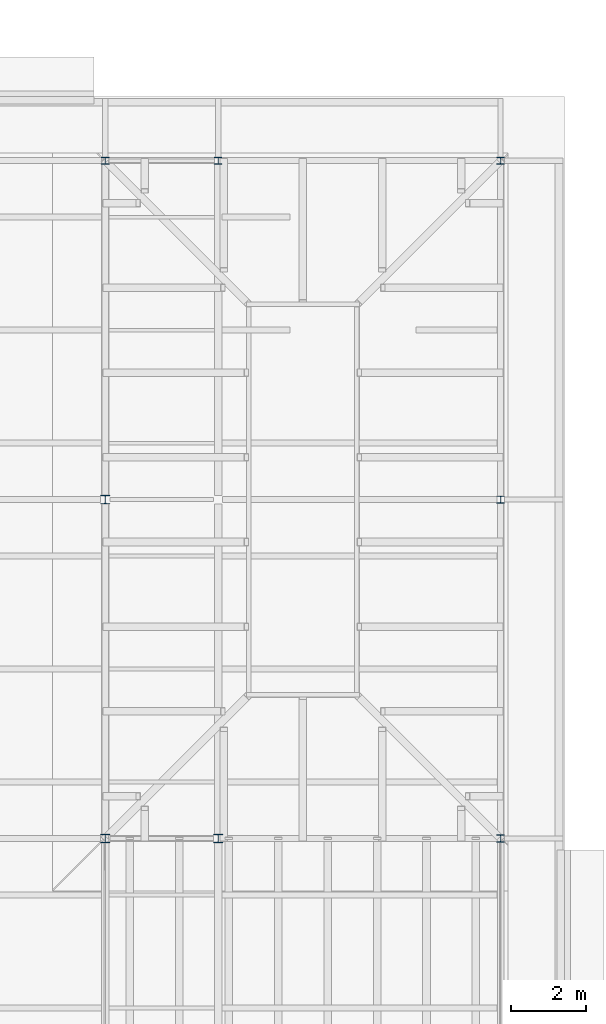
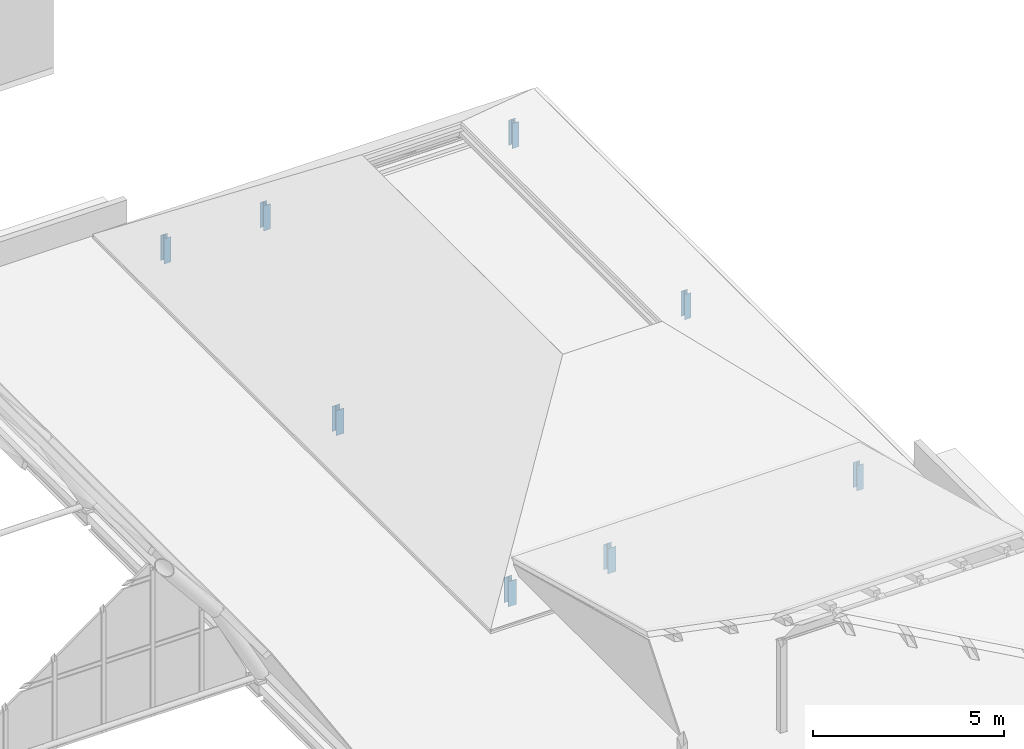
# One storey, part 15 of 121: 8 columns.
"""IFC4 building model written with IfcOpenShell, lengths in metres."""

from ifc_helpers import new_model, si_unit, direction, frame, origin, origin_2d, place, context, subcontext, project, spatial, i_section, extrude, material, material_profile, profile_set, type_object, element, save


model = new_model("IFC4")

# Units and contexts
model_context = context("Model", 3, precision=1e-05, world=origin(), true_north=direction((0.0, 1.0)))
body_context = subcontext(model_context, "Body", "Model", "MODEL_VIEW")
ifc_project = project(units=[si_unit("LENGTHUNIT", "METRE"), si_unit("AREAUNIT", "SQUARE_METRE"), si_unit("VOLUMEUNIT", "CUBIC_METRE"), si_unit("PLANEANGLEUNIT", "RADIAN"), si_unit("MASSUNIT", "GRAM", prefix="KILO")], contexts=[model_context])

# Site, building, storey
site_placement = place(None, origin())
site = spatial("IfcSite", under=ifc_project, at=site_placement, CompositionType="ELEMENT")
building_placement = place(site_placement, origin())
building = spatial("IfcBuilding", under=site, at=building_placement, Name="Golden Quay Civic Hall", CompositionType="ELEMENT")
storey_placement = place(building_placement, frame((0.0, 0.0, 18.60009765625)))
storey = spatial("IfcBuildingStorey", under=building, at=storey_placement, Name="L04", CompositionType="ELEMENT", Elevation=18.60009765625)

# Columns
ifc_material_1 = material(Name="Steel S355", Category="steel")
ifc_material_profile_1 = material_profile(ifc_material_1, i_section(OverallWidth=0.199951171875, OverallDepth=0.18994140625, WebThickness=0.006591796875, FlangeThickness=0.010009765625, FilletRadius=0.01806640625, at=origin_2d()), Name="HEA 200")
ifc_profile_set_1 = profile_set([ifc_material_profile_1], Name="Steel S355")
column_type_1 = type_object("IfcColumnType", Name="Steel roof post HEA 200", PredefinedType="COLUMN", material=ifc_profile_set_1)
for number, where, z_axis, x_axis, name in (
    (1, (106.5, 54.0, -0.25), (0.0, 0.0, 1.0), (1.0, 0.0, 0.0), "Roof post 106.5/54"),
    (2, (109.5, 54.0, -0.25), (0.0, 0.0, 1.0), (1.0, 0.0, 0.0), "Roof post 109.5/54"),
    (3, (117.0, 36.0, -0.25), (0.0, 0.0, 1.0), (1.0, 0.0, 0.0), "Roof post 117/36"),
    (4, (117.0, 45.0, -0.25), (0.0, 0.0, 1.0), (1.0, 0.0, 0.0), "Roof post 117/45"),
    (5, (117.0, 54.0, -0.25), (0.0, 0.0, 1.0), (1.0, 0.0, 0.0), "Roof post 117/54"),
):
    element("IfcColumn", number, at=place(storey_placement, frame(where, z_axis=z_axis, x_axis=x_axis)), inside=storey, type_object=column_type_1, Name=name, PredefinedType="COLUMN", context=body_context, shape_type="SweptSolid", body=[
        extrude(i_section(OverallWidth=0.199951171875, OverallDepth=0.18994140625, WebThickness=0.006591796875, FlangeThickness=0.010009765625, FilletRadius=0.01806640625, at=origin_2d()), origin(), (0.0, 0.0, 1.0), 0.804931640625),
    ])
ifc_material_2 = material(Name="Steel S355", Category="steel")
ifc_material_profile_2 = material_profile(ifc_material_2, i_section(OverallWidth=0.239990234375, OverallDepth=0.22998046875, WebThickness=0.007568359375, FlangeThickness=0.011962890625, FilletRadius=0.02099609375, at=origin_2d()), Name="HEA 240")
ifc_profile_set_2 = profile_set([ifc_material_profile_2], Name="Steel S355")
column_type_2 = type_object("IfcColumnType", Name="Steel roof post HEA 240", PredefinedType="COLUMN", material=ifc_profile_set_2)
for number, where, z_axis, x_axis, name in (
    (6, (106.5, 36.0, -0.25), (0.0, 0.0, 1.0), (1.0, 0.0, 0.0), "Roof post 106.5/36"),
    (7, (106.5, 45.0, -0.25), (0.0, 0.0, 1.0), (1.0, 0.0, 0.0), "Roof post 106.5/45"),
    (8, (109.5, 36.0, -0.25), (0.0, 0.0, 1.0), (1.0, 0.0, 0.0), "Roof post 109.5/36"),
):
    element("IfcColumn", number, at=place(storey_placement, frame(where, z_axis=z_axis, x_axis=x_axis)), inside=storey, type_object=column_type_2, Name=name, PredefinedType="COLUMN", context=body_context, shape_type="SweptSolid", body=[
        extrude(i_section(OverallWidth=0.239990234375, OverallDepth=0.22998046875, WebThickness=0.007568359375, FlangeThickness=0.011962890625, FilletRadius=0.02099609375, at=origin_2d()), origin(), (0.0, 0.0, 1.0), 0.804931640625),
    ])

save(model, "model.ifc")
